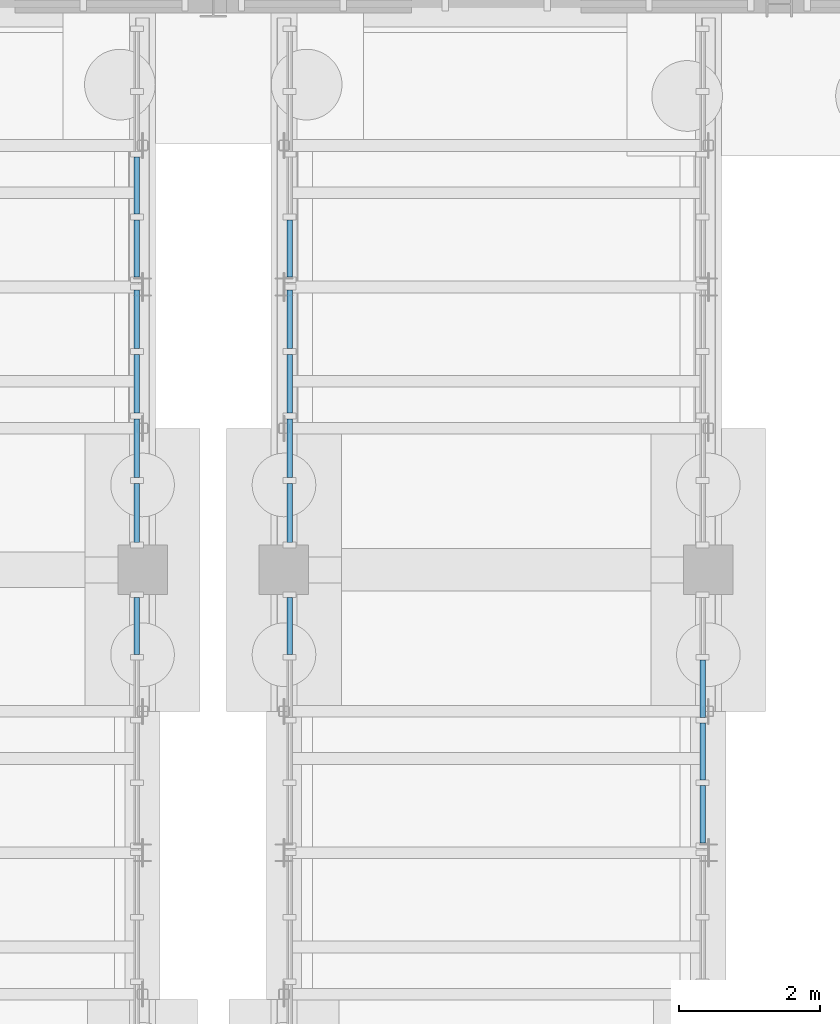
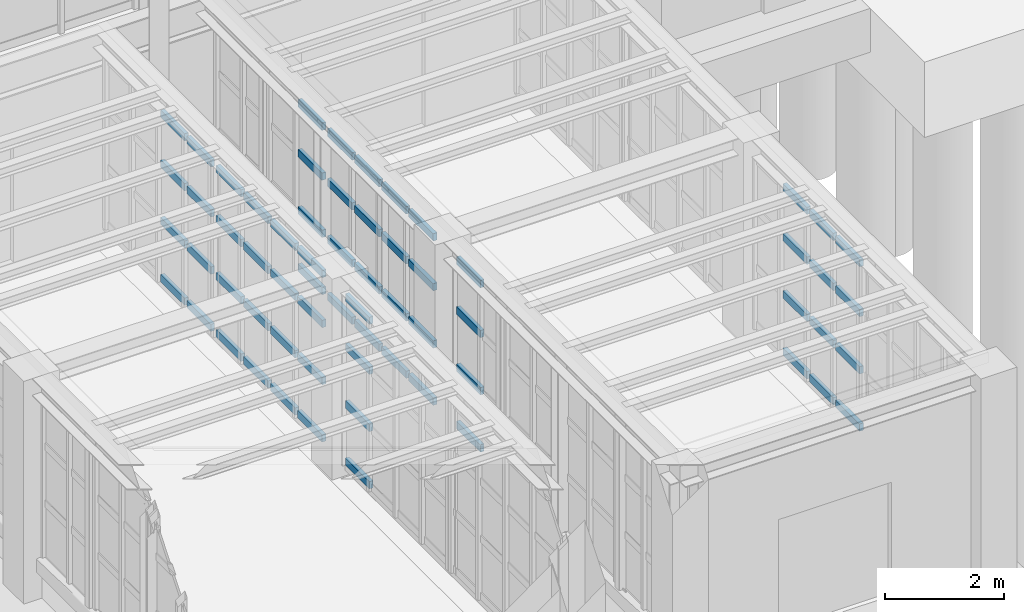
# One storey, part 75 of 129: 64 members, 7 elements without a shape of their own.
"""IFC4 building model written with IfcOpenShell, lengths in metres."""

from ifc_helpers import new_model, si_unit, direction, frame, origin, origin_2d, place, context, subcontext, project, spatial, rectangle, extrude, material, layer, layer_set, material_profile, profile_set, type_object, element, aggregate, save


model = new_model("IFC4")

# Units and contexts
model_context = context("Model", 3, precision=1e-05, world=origin(), true_north=direction((0.0, 1.0)))
body_context = subcontext(model_context, "Body", "Model", "MODEL_VIEW")
ifc_project = project(units=[si_unit("LENGTHUNIT", "METRE"), si_unit("AREAUNIT", "SQUARE_METRE"), si_unit("VOLUMEUNIT", "CUBIC_METRE"), si_unit("PLANEANGLEUNIT", "RADIAN"), si_unit("MASSUNIT", "GRAM", prefix="KILO")], contexts=[model_context])

# Site, building, storey
site_placement = place(None, origin())
site = spatial("IfcSite", under=ifc_project, at=site_placement, CompositionType="ELEMENT")
building_placement = place(site_placement, origin())
building = spatial("IfcBuilding", under=site, at=building_placement, Name="Sitalva Quay Ferry Terminal", CompositionType="ELEMENT")
storey_placement = place(building_placement, origin())
storey = spatial("IfcBuildingStorey", under=building, at=storey_placement, Name="L01", CompositionType="ELEMENT", Elevation=0.0)

# Curtain wall, members
ifc_material_1 = material(Name="Anodised Aluminium & Low-E Glazing", Category="aluminium")
ifc_layer = layer(ifc_material_1, 0.159912109375)
ifc_layer_set = layer_set([ifc_layer], Name="Anodised Aluminium & Low-E Glazing")
curtain_wall_type = type_object("IfcCurtainWallType", Name="CW_Bridge_Glazed", PredefinedType="USERDEFINED", material=ifc_layer_set)
curtain_wall_1_placement = place(storey_placement, origin())
curtain_wall_1 = element("IfcCurtainWall", 1, at=curtain_wall_1_placement, inside=storey, type_object=curtain_wall_type, Name="Boarding bridge BB2 E2 side glazing (CW-L01-046)", ObjectType="CURTAIN_WALL", PredefinedType="USERDEFINED")
ifc_material_2 = material(Name="Anodised Aluminium 6063-T6", Category="aluminium")
ifc_material_profile = material_profile(ifc_material_2, rectangle(XDim=0.074951171875, YDim=0.14990234375, at=origin_2d()), Name="ALU75x150")
ifc_profile_set = profile_set([ifc_material_profile], Name="Anodised Aluminium 6063-T6")
member_type = type_object("IfcMemberType", Name="Transom_Alu_75x140", PredefinedType="MULLION", material=ifc_profile_set)
member_1_placement = place(storey_placement, frame((56.919921875, -3.197509765625, 0.324951171875), z_axis=(0.0, 1.0, 0.0), x_axis=(-1.0, 0.0, 0.0)))
member_1 = element("IfcMember", 2, at=member_1_placement, type_object=member_type, Name="CW-L01-046-T3-0", ObjectType="TRANSOM", PredefinedType="USERDEFINED", context=body_context, shape_type="SweptSolid", body=[
    extrude(rectangle(XDim=0.074951171875, YDim=0.14990234375, at=origin_2d()), origin(), (0.0, 0.0, 1.0), 0.8076171875),
])
member_2_placement = place(storey_placement, frame((56.919921875, -3.197509765625, 1.501708984375), z_axis=(0.0, 1.0, 0.0), x_axis=(-1.0, 0.0, 0.0)))
member_2 = element("IfcMember", 3, at=member_2_placement, type_object=member_type, Name="CW-L01-046-T3-1", ObjectType="TRANSOM", PredefinedType="USERDEFINED", context=body_context, shape_type="SweptSolid", body=[
    extrude(rectangle(XDim=0.074951171875, YDim=0.14990234375, at=origin_2d()), origin(), (0.0, 0.0, 1.0), 0.8076171875),
])
member_3_placement = place(storey_placement, frame((56.919921875, -3.197509765625, 2.67822265625), z_axis=(0.0, 1.0, 0.0), x_axis=(-1.0, 0.0, 0.0)))
member_3 = element("IfcMember", 4, at=member_3_placement, type_object=member_type, Name="CW-L01-046-T3-2", ObjectType="TRANSOM", PredefinedType="USERDEFINED", context=body_context, shape_type="SweptSolid", body=[
    extrude(rectangle(XDim=0.074951171875, YDim=0.14990234375, at=origin_2d()), origin(), (0.0, 0.0, 1.0), 0.8076171875),
])
member_4_placement = place(storey_placement, frame((56.919921875, -3.197509765625, 3.705078125), z_axis=(0.0, 1.0, 0.0), x_axis=(-1.0, 0.0, 0.0)))
member_4 = element("IfcMember", 5, at=member_4_placement, type_object=member_type, Name="CW-L01-046-T3-3", ObjectType="TRANSOM", PredefinedType="USERDEFINED", context=body_context, shape_type="SweptSolid", body=[
    extrude(rectangle(XDim=0.074951171875, YDim=0.14990234375, at=origin_2d()), origin(), (0.0, 0.0, 1.0), 0.8076171875),
])
aggregate(curtain_wall_1, [member_1, member_2, member_3, member_4])

curtain_wall_2_placement = place(storey_placement, origin())
curtain_wall_2 = element("IfcCurtainWall", 6, at=curtain_wall_2_placement, inside=storey, type_object=curtain_wall_type, Name="Boarding bridge BB2 E3 side glazing (CW-L01-047)", ObjectType="CURTAIN_WALL", PredefinedType="USERDEFINED")
member_5_placement = place(storey_placement, frame((56.919921875, -1.610107421875, 0.324951171875), z_axis=(0.0, 1.0, 0.0), x_axis=(-1.0, 0.0, 0.0)))
member_5 = element("IfcMember", 7, at=member_5_placement, type_object=member_type, Name="CW-L01-047-T0-0", ObjectType="TRANSOM", PredefinedType="USERDEFINED", context=body_context, shape_type="SweptSolid", body=[
    extrude(rectangle(XDim=0.074951171875, YDim=0.14990234375, at=origin_2d()), origin(), (0.0, 0.0, 1.0), 0.83251953125),
])
member_6_placement = place(storey_placement, frame((56.919921875, -1.610107421875, 1.501708984375), z_axis=(0.0, 1.0, 0.0), x_axis=(-1.0, 0.0, 0.0)))
member_6 = element("IfcMember", 8, at=member_6_placement, type_object=member_type, Name="CW-L01-047-T0-1", ObjectType="TRANSOM", PredefinedType="USERDEFINED", context=body_context, shape_type="SweptSolid", body=[
    extrude(rectangle(XDim=0.074951171875, YDim=0.14990234375, at=origin_2d()), origin(), (0.0, 0.0, 1.0), 0.83251953125),
])
member_7_placement = place(storey_placement, frame((56.919921875, -1.610107421875, 2.67822265625), z_axis=(0.0, 1.0, 0.0), x_axis=(-1.0, 0.0, 0.0)))
member_7 = element("IfcMember", 9, at=member_7_placement, type_object=member_type, Name="CW-L01-047-T0-2", ObjectType="TRANSOM", PredefinedType="USERDEFINED", context=body_context, shape_type="SweptSolid", body=[
    extrude(rectangle(XDim=0.074951171875, YDim=0.14990234375, at=origin_2d()), origin(), (0.0, 0.0, 1.0), 0.83251953125),
])
member_8_placement = place(storey_placement, frame((56.919921875, -1.610107421875, 3.705078125), z_axis=(0.0, 1.0, 0.0), x_axis=(-1.0, 0.0, 0.0)))
member_8 = element("IfcMember", 10, at=member_8_placement, type_object=member_type, Name="CW-L01-047-T0-3", ObjectType="TRANSOM", PredefinedType="USERDEFINED", context=body_context, shape_type="SweptSolid", body=[
    extrude(rectangle(XDim=0.074951171875, YDim=0.14990234375, at=origin_2d()), origin(), (0.0, 0.0, 1.0), 0.83251953125),
])
member_9_placement = place(storey_placement, frame((56.919921875, -0.697509765625, 0.324951171875), z_axis=(0.0, 1.0, 0.0), x_axis=(-1.0, 0.0, 0.0)))
member_9 = element("IfcMember", 11, at=member_9_placement, type_object=member_type, Name="CW-L01-047-T1-0", ObjectType="TRANSOM", PredefinedType="USERDEFINED", context=body_context, shape_type="SweptSolid", body=[
    extrude(rectangle(XDim=0.074951171875, YDim=0.14990234375, at=origin_2d()), origin(), (0.0, 0.0, 1.0), 0.83251953125),
])
member_10_placement = place(storey_placement, frame((56.919921875, -0.697509765625, 1.501708984375), z_axis=(0.0, 1.0, 0.0), x_axis=(-1.0, 0.0, 0.0)))
member_10 = element("IfcMember", 12, at=member_10_placement, type_object=member_type, Name="CW-L01-047-T1-1", ObjectType="TRANSOM", PredefinedType="USERDEFINED", context=body_context, shape_type="SweptSolid", body=[
    extrude(rectangle(XDim=0.074951171875, YDim=0.14990234375, at=origin_2d()), origin(), (0.0, 0.0, 1.0), 0.83251953125),
])
member_11_placement = place(storey_placement, frame((56.919921875, -0.697509765625, 2.67822265625), z_axis=(0.0, 1.0, 0.0), x_axis=(-1.0, 0.0, 0.0)))
member_11 = element("IfcMember", 13, at=member_11_placement, type_object=member_type, Name="CW-L01-047-T1-2", ObjectType="TRANSOM", PredefinedType="USERDEFINED", context=body_context, shape_type="SweptSolid", body=[
    extrude(rectangle(XDim=0.074951171875, YDim=0.14990234375, at=origin_2d()), origin(), (0.0, 0.0, 1.0), 0.83251953125),
])
member_12_placement = place(storey_placement, frame((56.919921875, -0.697509765625, 3.705078125), z_axis=(0.0, 1.0, 0.0), x_axis=(-1.0, 0.0, 0.0)))
member_12 = element("IfcMember", 14, at=member_12_placement, type_object=member_type, Name="CW-L01-047-T1-3", ObjectType="TRANSOM", PredefinedType="USERDEFINED", context=body_context, shape_type="SweptSolid", body=[
    extrude(rectangle(XDim=0.074951171875, YDim=0.14990234375, at=origin_2d()), origin(), (0.0, 0.0, 1.0), 0.83251953125),
])
member_13_placement = place(storey_placement, frame((56.919921875, 0.215087890625, 0.324951171875), z_axis=(0.0, 1.0, 0.0), x_axis=(-1.0, 0.0, 0.0)))
member_13 = element("IfcMember", 15, at=member_13_placement, type_object=member_type, Name="CW-L01-047-T2-0", ObjectType="TRANSOM", PredefinedType="USERDEFINED", context=body_context, shape_type="SweptSolid", body=[
    extrude(rectangle(XDim=0.074951171875, YDim=0.14990234375, at=origin_2d()), origin(), (0.0, 0.0, 1.0), 0.83251953125),
])
member_14_placement = place(storey_placement, frame((56.919921875, 0.215087890625, 1.501708984375), z_axis=(0.0, 1.0, 0.0), x_axis=(-1.0, 0.0, 0.0)))
member_14 = element("IfcMember", 16, at=member_14_placement, type_object=member_type, Name="CW-L01-047-T2-1", ObjectType="TRANSOM", PredefinedType="USERDEFINED", context=body_context, shape_type="SweptSolid", body=[
    extrude(rectangle(XDim=0.074951171875, YDim=0.14990234375, at=origin_2d()), origin(), (0.0, 0.0, 1.0), 0.83251953125),
])
member_15_placement = place(storey_placement, frame((56.919921875, 0.215087890625, 2.67822265625), z_axis=(0.0, 1.0, 0.0), x_axis=(-1.0, 0.0, 0.0)))
member_15 = element("IfcMember", 17, at=member_15_placement, type_object=member_type, Name="CW-L01-047-T2-2", ObjectType="TRANSOM", PredefinedType="USERDEFINED", context=body_context, shape_type="SweptSolid", body=[
    extrude(rectangle(XDim=0.074951171875, YDim=0.14990234375, at=origin_2d()), origin(), (0.0, 0.0, 1.0), 0.83251953125),
])
member_16_placement = place(storey_placement, frame((56.919921875, 0.215087890625, 3.705078125), z_axis=(0.0, 1.0, 0.0), x_axis=(-1.0, 0.0, 0.0)))
member_16 = element("IfcMember", 18, at=member_16_placement, type_object=member_type, Name="CW-L01-047-T2-3", ObjectType="TRANSOM", PredefinedType="USERDEFINED", context=body_context, shape_type="SweptSolid", body=[
    extrude(rectangle(XDim=0.074951171875, YDim=0.14990234375, at=origin_2d()), origin(), (0.0, 0.0, 1.0), 0.83251953125),
])
member_17_placement = place(storey_placement, frame((56.919921875, 1.12744140625, 0.324951171875), z_axis=(0.0, 1.0, 0.0), x_axis=(-1.0, 0.0, 0.0)))
member_17 = element("IfcMember", 19, at=member_17_placement, type_object=member_type, Name="CW-L01-047-T3-0", ObjectType="TRANSOM", PredefinedType="USERDEFINED", context=body_context, shape_type="SweptSolid", body=[
    extrude(rectangle(XDim=0.074951171875, YDim=0.14990234375, at=origin_2d()), origin(), (0.0, 0.0, 1.0), 0.83251953125),
])
member_18_placement = place(storey_placement, frame((56.919921875, 1.12744140625, 1.501708984375), z_axis=(0.0, 1.0, 0.0), x_axis=(-1.0, 0.0, 0.0)))
member_18 = element("IfcMember", 20, at=member_18_placement, type_object=member_type, Name="CW-L01-047-T3-1", ObjectType="TRANSOM", PredefinedType="USERDEFINED", context=body_context, shape_type="SweptSolid", body=[
    extrude(rectangle(XDim=0.074951171875, YDim=0.14990234375, at=origin_2d()), origin(), (0.0, 0.0, 1.0), 0.83251953125),
])
member_19_placement = place(storey_placement, frame((56.919921875, 1.12744140625, 2.67822265625), z_axis=(0.0, 1.0, 0.0), x_axis=(-1.0, 0.0, 0.0)))
member_19 = element("IfcMember", 21, at=member_19_placement, type_object=member_type, Name="CW-L01-047-T3-2", ObjectType="TRANSOM", PredefinedType="USERDEFINED", context=body_context, shape_type="SweptSolid", body=[
    extrude(rectangle(XDim=0.074951171875, YDim=0.14990234375, at=origin_2d()), origin(), (0.0, 0.0, 1.0), 0.83251953125),
])
member_20_placement = place(storey_placement, frame((56.919921875, 1.12744140625, 3.705078125), z_axis=(0.0, 1.0, 0.0), x_axis=(-1.0, 0.0, 0.0)))
member_20 = element("IfcMember", 22, at=member_20_placement, type_object=member_type, Name="CW-L01-047-T3-3", ObjectType="TRANSOM", PredefinedType="USERDEFINED", context=body_context, shape_type="SweptSolid", body=[
    extrude(rectangle(XDim=0.074951171875, YDim=0.14990234375, at=origin_2d()), origin(), (0.0, 0.0, 1.0), 0.83251953125),
])
aggregate(curtain_wall_2, [member_5, member_6, member_7, member_8, member_9, member_10, member_11, member_12, member_13, member_14, member_15, member_16, member_17, member_18, member_19, member_20])

curtain_wall_3_placement = place(storey_placement, origin())
curtain_wall_3 = element("IfcCurtainWall", 23, at=curtain_wall_3_placement, inside=storey, type_object=curtain_wall_type, Name="Boarding bridge BB2 E4 side glazing (CW-L01-048)", ObjectType="CURTAIN_WALL", PredefinedType="USERDEFINED")
member_21_placement = place(storey_placement, frame((56.919921875, 2.139892578125, 0.324951171875), z_axis=(0.0, 1.0, 0.0), x_axis=(-1.0, 0.0, 0.0)))
member_21 = element("IfcMember", 24, at=member_21_placement, type_object=member_type, Name="CW-L01-048-T0-0", ObjectType="TRANSOM", PredefinedType="USERDEFINED", context=body_context, shape_type="SweptSolid", body=[
    extrude(rectangle(XDim=0.074951171875, YDim=0.14990234375, at=origin_2d()), origin(), (0.0, 0.0, 1.0), 0.8076171875),
])
member_22_placement = place(storey_placement, frame((56.919921875, 2.139892578125, 1.501708984375), z_axis=(0.0, 1.0, 0.0), x_axis=(-1.0, 0.0, 0.0)))
member_22 = element("IfcMember", 25, at=member_22_placement, type_object=member_type, Name="CW-L01-048-T0-1", ObjectType="TRANSOM", PredefinedType="USERDEFINED", context=body_context, shape_type="SweptSolid", body=[
    extrude(rectangle(XDim=0.074951171875, YDim=0.14990234375, at=origin_2d()), origin(), (0.0, 0.0, 1.0), 0.8076171875),
])
member_23_placement = place(storey_placement, frame((56.919921875, 2.139892578125, 2.67822265625), z_axis=(0.0, 1.0, 0.0), x_axis=(-1.0, 0.0, 0.0)))
member_23 = element("IfcMember", 26, at=member_23_placement, type_object=member_type, Name="CW-L01-048-T0-2", ObjectType="TRANSOM", PredefinedType="USERDEFINED", context=body_context, shape_type="SweptSolid", body=[
    extrude(rectangle(XDim=0.074951171875, YDim=0.14990234375, at=origin_2d()), origin(), (0.0, 0.0, 1.0), 0.8076171875),
])
member_24_placement = place(storey_placement, frame((56.919921875, 2.139892578125, 3.705078125), z_axis=(0.0, 1.0, 0.0), x_axis=(-1.0, 0.0, 0.0)))
member_24 = element("IfcMember", 27, at=member_24_placement, type_object=member_type, Name="CW-L01-048-T0-3", ObjectType="TRANSOM", PredefinedType="USERDEFINED", context=body_context, shape_type="SweptSolid", body=[
    extrude(rectangle(XDim=0.074951171875, YDim=0.14990234375, at=origin_2d()), origin(), (0.0, 0.0, 1.0), 0.8076171875),
])
member_25_placement = place(storey_placement, frame((56.919921875, 3.027587890625, 0.324951171875), z_axis=(0.0, 1.0, 0.0), x_axis=(-1.0, 0.0, 0.0)))
member_25 = element("IfcMember", 28, at=member_25_placement, type_object=member_type, Name="CW-L01-048-T1-0", ObjectType="TRANSOM", PredefinedType="USERDEFINED", context=body_context, shape_type="SweptSolid", body=[
    extrude(rectangle(XDim=0.074951171875, YDim=0.14990234375, at=origin_2d()), origin(), (0.0, 0.0, 1.0), 0.807373046875),
])
member_26_placement = place(storey_placement, frame((56.919921875, 3.027587890625, 1.501708984375), z_axis=(0.0, 1.0, 0.0), x_axis=(-1.0, 0.0, 0.0)))
member_26 = element("IfcMember", 29, at=member_26_placement, type_object=member_type, Name="CW-L01-048-T1-1", ObjectType="TRANSOM", PredefinedType="USERDEFINED", context=body_context, shape_type="SweptSolid", body=[
    extrude(rectangle(XDim=0.074951171875, YDim=0.14990234375, at=origin_2d()), origin(), (0.0, 0.0, 1.0), 0.807373046875),
])
member_27_placement = place(storey_placement, frame((56.919921875, 3.027587890625, 2.67822265625), z_axis=(0.0, 1.0, 0.0), x_axis=(-1.0, 0.0, 0.0)))
member_27 = element("IfcMember", 30, at=member_27_placement, type_object=member_type, Name="CW-L01-048-T1-2", ObjectType="TRANSOM", PredefinedType="USERDEFINED", context=body_context, shape_type="SweptSolid", body=[
    extrude(rectangle(XDim=0.074951171875, YDim=0.14990234375, at=origin_2d()), origin(), (0.0, 0.0, 1.0), 0.807373046875),
])
member_28_placement = place(storey_placement, frame((56.919921875, 3.027587890625, 3.705078125), z_axis=(0.0, 1.0, 0.0), x_axis=(-1.0, 0.0, 0.0)))
member_28 = element("IfcMember", 31, at=member_28_placement, type_object=member_type, Name="CW-L01-048-T1-3", ObjectType="TRANSOM", PredefinedType="USERDEFINED", context=body_context, shape_type="SweptSolid", body=[
    extrude(rectangle(XDim=0.074951171875, YDim=0.14990234375, at=origin_2d()), origin(), (0.0, 0.0, 1.0), 0.807373046875),
])
aggregate(curtain_wall_3, [member_21, member_22, member_23, member_24, member_25, member_26, member_27, member_28])

curtain_wall_4_placement = place(storey_placement, origin())
curtain_wall_4 = element("IfcCurtainWall", 32, at=curtain_wall_4_placement, inside=storey, type_object=curtain_wall_type, Name="Boarding bridge BB3 W2 side glazing (CW-L01-050)", ObjectType="CURTAIN_WALL", PredefinedType="USERDEFINED")
member_29_placement = place(storey_placement, frame((59.080078125, -3.197509765625, 0.324951171875), z_axis=(0.0, 1.0, 0.0), x_axis=(-1.0, 0.0, 0.0)))
member_29 = element("IfcMember", 33, at=member_29_placement, type_object=member_type, Name="CW-L01-050-T3-0", ObjectType="TRANSOM", PredefinedType="USERDEFINED", context=body_context, shape_type="SweptSolid", body=[
    extrude(rectangle(XDim=0.074951171875, YDim=0.14990234375, at=origin_2d()), origin(), (0.0, 0.0, 1.0), 0.8076171875),
])
member_30_placement = place(storey_placement, frame((59.080078125, -3.197509765625, 1.501708984375), z_axis=(0.0, 1.0, 0.0), x_axis=(-1.0, 0.0, 0.0)))
member_30 = element("IfcMember", 34, at=member_30_placement, type_object=member_type, Name="CW-L01-050-T3-1", ObjectType="TRANSOM", PredefinedType="USERDEFINED", context=body_context, shape_type="SweptSolid", body=[
    extrude(rectangle(XDim=0.074951171875, YDim=0.14990234375, at=origin_2d()), origin(), (0.0, 0.0, 1.0), 0.8076171875),
])
member_31_placement = place(storey_placement, frame((59.080078125, -3.197509765625, 2.67822265625), z_axis=(0.0, 1.0, 0.0), x_axis=(-1.0, 0.0, 0.0)))
member_31 = element("IfcMember", 35, at=member_31_placement, type_object=member_type, Name="CW-L01-050-T3-2", ObjectType="TRANSOM", PredefinedType="USERDEFINED", context=body_context, shape_type="SweptSolid", body=[
    extrude(rectangle(XDim=0.074951171875, YDim=0.14990234375, at=origin_2d()), origin(), (0.0, 0.0, 1.0), 0.8076171875),
])
member_32_placement = place(storey_placement, frame((59.080078125, -3.197509765625, 3.705078125), z_axis=(0.0, 1.0, 0.0), x_axis=(-1.0, 0.0, 0.0)))
member_32 = element("IfcMember", 36, at=member_32_placement, type_object=member_type, Name="CW-L01-050-T3-3", ObjectType="TRANSOM", PredefinedType="USERDEFINED", context=body_context, shape_type="SweptSolid", body=[
    extrude(rectangle(XDim=0.074951171875, YDim=0.14990234375, at=origin_2d()), origin(), (0.0, 0.0, 1.0), 0.8076171875),
])
aggregate(curtain_wall_4, [member_29, member_30, member_31, member_32])

curtain_wall_5_placement = place(storey_placement, origin())
curtain_wall_5 = element("IfcCurtainWall", 37, at=curtain_wall_5_placement, inside=storey, type_object=curtain_wall_type, Name="Boarding bridge BB3 W3 side glazing (CW-L01-051)", ObjectType="CURTAIN_WALL", PredefinedType="USERDEFINED")
member_33_placement = place(storey_placement, frame((59.080078125, -1.610107421875, 0.324951171875), z_axis=(0.0, 1.0, 0.0), x_axis=(-1.0, 0.0, 0.0)))
member_33 = element("IfcMember", 38, at=member_33_placement, type_object=member_type, Name="CW-L01-051-T0-0", ObjectType="TRANSOM", PredefinedType="USERDEFINED", context=body_context, shape_type="SweptSolid", body=[
    extrude(rectangle(XDim=0.074951171875, YDim=0.14990234375, at=origin_2d()), origin(), (0.0, 0.0, 1.0), 0.83251953125),
])
member_34_placement = place(storey_placement, frame((59.080078125, -1.610107421875, 1.501708984375), z_axis=(0.0, 1.0, 0.0), x_axis=(-1.0, 0.0, 0.0)))
member_34 = element("IfcMember", 39, at=member_34_placement, type_object=member_type, Name="CW-L01-051-T0-1", ObjectType="TRANSOM", PredefinedType="USERDEFINED", context=body_context, shape_type="SweptSolid", body=[
    extrude(rectangle(XDim=0.074951171875, YDim=0.14990234375, at=origin_2d()), origin(), (0.0, 0.0, 1.0), 0.83251953125),
])
member_35_placement = place(storey_placement, frame((59.080078125, -1.610107421875, 2.67822265625), z_axis=(0.0, 1.0, 0.0), x_axis=(-1.0, 0.0, 0.0)))
member_35 = element("IfcMember", 40, at=member_35_placement, type_object=member_type, Name="CW-L01-051-T0-2", ObjectType="TRANSOM", PredefinedType="USERDEFINED", context=body_context, shape_type="SweptSolid", body=[
    extrude(rectangle(XDim=0.074951171875, YDim=0.14990234375, at=origin_2d()), origin(), (0.0, 0.0, 1.0), 0.83251953125),
])
member_36_placement = place(storey_placement, frame((59.080078125, -1.610107421875, 3.705078125), z_axis=(0.0, 1.0, 0.0), x_axis=(-1.0, 0.0, 0.0)))
member_36 = element("IfcMember", 41, at=member_36_placement, type_object=member_type, Name="CW-L01-051-T0-3", ObjectType="TRANSOM", PredefinedType="USERDEFINED", context=body_context, shape_type="SweptSolid", body=[
    extrude(rectangle(XDim=0.074951171875, YDim=0.14990234375, at=origin_2d()), origin(), (0.0, 0.0, 1.0), 0.83251953125),
])
member_37_placement = place(storey_placement, frame((59.080078125, -0.697509765625, 0.324951171875), z_axis=(0.0, 1.0, 0.0), x_axis=(-1.0, 0.0, 0.0)))
member_37 = element("IfcMember", 42, at=member_37_placement, type_object=member_type, Name="CW-L01-051-T1-0", ObjectType="TRANSOM", PredefinedType="USERDEFINED", context=body_context, shape_type="SweptSolid", body=[
    extrude(rectangle(XDim=0.074951171875, YDim=0.14990234375, at=origin_2d()), origin(), (0.0, 0.0, 1.0), 0.83251953125),
])
member_38_placement = place(storey_placement, frame((59.080078125, -0.697509765625, 1.501708984375), z_axis=(0.0, 1.0, 0.0), x_axis=(-1.0, 0.0, 0.0)))
member_38 = element("IfcMember", 43, at=member_38_placement, type_object=member_type, Name="CW-L01-051-T1-1", ObjectType="TRANSOM", PredefinedType="USERDEFINED", context=body_context, shape_type="SweptSolid", body=[
    extrude(rectangle(XDim=0.074951171875, YDim=0.14990234375, at=origin_2d()), origin(), (0.0, 0.0, 1.0), 0.83251953125),
])
member_39_placement = place(storey_placement, frame((59.080078125, -0.697509765625, 2.67822265625), z_axis=(0.0, 1.0, 0.0), x_axis=(-1.0, 0.0, 0.0)))
member_39 = element("IfcMember", 44, at=member_39_placement, type_object=member_type, Name="CW-L01-051-T1-2", ObjectType="TRANSOM", PredefinedType="USERDEFINED", context=body_context, shape_type="SweptSolid", body=[
    extrude(rectangle(XDim=0.074951171875, YDim=0.14990234375, at=origin_2d()), origin(), (0.0, 0.0, 1.0), 0.83251953125),
])
member_40_placement = place(storey_placement, frame((59.080078125, -0.697509765625, 3.705078125), z_axis=(0.0, 1.0, 0.0), x_axis=(-1.0, 0.0, 0.0)))
member_40 = element("IfcMember", 45, at=member_40_placement, type_object=member_type, Name="CW-L01-051-T1-3", ObjectType="TRANSOM", PredefinedType="USERDEFINED", context=body_context, shape_type="SweptSolid", body=[
    extrude(rectangle(XDim=0.074951171875, YDim=0.14990234375, at=origin_2d()), origin(), (0.0, 0.0, 1.0), 0.83251953125),
])
member_41_placement = place(storey_placement, frame((59.080078125, 0.215087890625, 0.324951171875), z_axis=(0.0, 1.0, 0.0), x_axis=(-1.0, 0.0, 0.0)))
member_41 = element("IfcMember", 46, at=member_41_placement, type_object=member_type, Name="CW-L01-051-T2-0", ObjectType="TRANSOM", PredefinedType="USERDEFINED", context=body_context, shape_type="SweptSolid", body=[
    extrude(rectangle(XDim=0.074951171875, YDim=0.14990234375, at=origin_2d()), origin(), (0.0, 0.0, 1.0), 0.83251953125),
])
member_42_placement = place(storey_placement, frame((59.080078125, 0.215087890625, 1.501708984375), z_axis=(0.0, 1.0, 0.0), x_axis=(-1.0, 0.0, 0.0)))
member_42 = element("IfcMember", 47, at=member_42_placement, type_object=member_type, Name="CW-L01-051-T2-1", ObjectType="TRANSOM", PredefinedType="USERDEFINED", context=body_context, shape_type="SweptSolid", body=[
    extrude(rectangle(XDim=0.074951171875, YDim=0.14990234375, at=origin_2d()), origin(), (0.0, 0.0, 1.0), 0.83251953125),
])
member_43_placement = place(storey_placement, frame((59.080078125, 0.215087890625, 2.67822265625), z_axis=(0.0, 1.0, 0.0), x_axis=(-1.0, 0.0, 0.0)))
member_43 = element("IfcMember", 48, at=member_43_placement, type_object=member_type, Name="CW-L01-051-T2-2", ObjectType="TRANSOM", PredefinedType="USERDEFINED", context=body_context, shape_type="SweptSolid", body=[
    extrude(rectangle(XDim=0.074951171875, YDim=0.14990234375, at=origin_2d()), origin(), (0.0, 0.0, 1.0), 0.83251953125),
])
member_44_placement = place(storey_placement, frame((59.080078125, 0.215087890625, 3.705078125), z_axis=(0.0, 1.0, 0.0), x_axis=(-1.0, 0.0, 0.0)))
member_44 = element("IfcMember", 49, at=member_44_placement, type_object=member_type, Name="CW-L01-051-T2-3", ObjectType="TRANSOM", PredefinedType="USERDEFINED", context=body_context, shape_type="SweptSolid", body=[
    extrude(rectangle(XDim=0.074951171875, YDim=0.14990234375, at=origin_2d()), origin(), (0.0, 0.0, 1.0), 0.83251953125),
])
member_45_placement = place(storey_placement, frame((59.080078125, 1.12744140625, 0.324951171875), z_axis=(0.0, 1.0, 0.0), x_axis=(-1.0, 0.0, 0.0)))
member_45 = element("IfcMember", 50, at=member_45_placement, type_object=member_type, Name="CW-L01-051-T3-0", ObjectType="TRANSOM", PredefinedType="USERDEFINED", context=body_context, shape_type="SweptSolid", body=[
    extrude(rectangle(XDim=0.074951171875, YDim=0.14990234375, at=origin_2d()), origin(), (0.0, 0.0, 1.0), 0.83251953125),
])
member_46_placement = place(storey_placement, frame((59.080078125, 1.12744140625, 1.501708984375), z_axis=(0.0, 1.0, 0.0), x_axis=(-1.0, 0.0, 0.0)))
member_46 = element("IfcMember", 51, at=member_46_placement, type_object=member_type, Name="CW-L01-051-T3-1", ObjectType="TRANSOM", PredefinedType="USERDEFINED", context=body_context, shape_type="SweptSolid", body=[
    extrude(rectangle(XDim=0.074951171875, YDim=0.14990234375, at=origin_2d()), origin(), (0.0, 0.0, 1.0), 0.83251953125),
])
member_47_placement = place(storey_placement, frame((59.080078125, 1.12744140625, 2.67822265625), z_axis=(0.0, 1.0, 0.0), x_axis=(-1.0, 0.0, 0.0)))
member_47 = element("IfcMember", 52, at=member_47_placement, type_object=member_type, Name="CW-L01-051-T3-2", ObjectType="TRANSOM", PredefinedType="USERDEFINED", context=body_context, shape_type="SweptSolid", body=[
    extrude(rectangle(XDim=0.074951171875, YDim=0.14990234375, at=origin_2d()), origin(), (0.0, 0.0, 1.0), 0.83251953125),
])
member_48_placement = place(storey_placement, frame((59.080078125, 1.12744140625, 3.705078125), z_axis=(0.0, 1.0, 0.0), x_axis=(-1.0, 0.0, 0.0)))
member_48 = element("IfcMember", 53, at=member_48_placement, type_object=member_type, Name="CW-L01-051-T3-3", ObjectType="TRANSOM", PredefinedType="USERDEFINED", context=body_context, shape_type="SweptSolid", body=[
    extrude(rectangle(XDim=0.074951171875, YDim=0.14990234375, at=origin_2d()), origin(), (0.0, 0.0, 1.0), 0.83251953125),
])
aggregate(curtain_wall_5, [member_33, member_34, member_35, member_36, member_37, member_38, member_39, member_40, member_41, member_42, member_43, member_44, member_45, member_46, member_47, member_48])

curtain_wall_6_placement = place(storey_placement, origin())
curtain_wall_6 = element("IfcCurtainWall", 54, at=curtain_wall_6_placement, inside=storey, type_object=curtain_wall_type, Name="Boarding bridge BB3 W4 side glazing (CW-L01-052)", ObjectType="CURTAIN_WALL", PredefinedType="USERDEFINED")
member_49_placement = place(storey_placement, frame((59.080078125, 2.139892578125, 0.324951171875), z_axis=(0.0, 1.0, 0.0), x_axis=(-1.0, 0.0, 0.0)))
member_49 = element("IfcMember", 55, at=member_49_placement, type_object=member_type, Name="CW-L01-052-T0-0", ObjectType="TRANSOM", PredefinedType="USERDEFINED", context=body_context, shape_type="SweptSolid", body=[
    extrude(rectangle(XDim=0.074951171875, YDim=0.14990234375, at=origin_2d()), origin(), (0.0, 0.0, 1.0), 0.8076171875),
])
member_50_placement = place(storey_placement, frame((59.080078125, 2.139892578125, 1.501708984375), z_axis=(0.0, 1.0, 0.0), x_axis=(-1.0, 0.0, 0.0)))
member_50 = element("IfcMember", 56, at=member_50_placement, type_object=member_type, Name="CW-L01-052-T0-1", ObjectType="TRANSOM", PredefinedType="USERDEFINED", context=body_context, shape_type="SweptSolid", body=[
    extrude(rectangle(XDim=0.074951171875, YDim=0.14990234375, at=origin_2d()), origin(), (0.0, 0.0, 1.0), 0.8076171875),
])
member_51_placement = place(storey_placement, frame((59.080078125, 2.139892578125, 2.67822265625), z_axis=(0.0, 1.0, 0.0), x_axis=(-1.0, 0.0, 0.0)))
member_51 = element("IfcMember", 57, at=member_51_placement, type_object=member_type, Name="CW-L01-052-T0-2", ObjectType="TRANSOM", PredefinedType="USERDEFINED", context=body_context, shape_type="SweptSolid", body=[
    extrude(rectangle(XDim=0.074951171875, YDim=0.14990234375, at=origin_2d()), origin(), (0.0, 0.0, 1.0), 0.8076171875),
])
member_52_placement = place(storey_placement, frame((59.080078125, 2.139892578125, 3.705078125), z_axis=(0.0, 1.0, 0.0), x_axis=(-1.0, 0.0, 0.0)))
member_52 = element("IfcMember", 58, at=member_52_placement, type_object=member_type, Name="CW-L01-052-T0-3", ObjectType="TRANSOM", PredefinedType="USERDEFINED", context=body_context, shape_type="SweptSolid", body=[
    extrude(rectangle(XDim=0.074951171875, YDim=0.14990234375, at=origin_2d()), origin(), (0.0, 0.0, 1.0), 0.8076171875),
])
aggregate(curtain_wall_6, [member_49, member_50, member_51, member_52])

curtain_wall_7_placement = place(storey_placement, origin())
curtain_wall_7 = element("IfcCurtainWall", 59, at=curtain_wall_7_placement, inside=storey, type_object=curtain_wall_type, Name="Boarding bridge BB3 E2 side glazing (CW-L01-054)", ObjectType="CURTAIN_WALL", PredefinedType="USERDEFINED")
member_53_placement = place(storey_placement, frame((64.919921875, -5.860107421875, 0.324951171875), z_axis=(0.0, 1.0, 0.0), x_axis=(-1.0, 0.0, 0.0)))
member_53 = element("IfcMember", 60, at=member_53_placement, type_object=member_type, Name="CW-L01-054-T0-0", ObjectType="TRANSOM", PredefinedType="USERDEFINED", context=body_context, shape_type="SweptSolid", body=[
    extrude(rectangle(XDim=0.074951171875, YDim=0.14990234375, at=origin_2d()), origin(), (0.0, 0.0, 1.0), 0.8076171875),
])
member_54_placement = place(storey_placement, frame((64.919921875, -5.860107421875, 1.501708984375), z_axis=(0.0, 1.0, 0.0), x_axis=(-1.0, 0.0, 0.0)))
member_54 = element("IfcMember", 61, at=member_54_placement, type_object=member_type, Name="CW-L01-054-T0-1", ObjectType="TRANSOM", PredefinedType="USERDEFINED", context=body_context, shape_type="SweptSolid", body=[
    extrude(rectangle(XDim=0.074951171875, YDim=0.14990234375, at=origin_2d()), origin(), (0.0, 0.0, 1.0), 0.8076171875),
])
member_55_placement = place(storey_placement, frame((64.919921875, -5.860107421875, 2.67822265625), z_axis=(0.0, 1.0, 0.0), x_axis=(-1.0, 0.0, 0.0)))
member_55 = element("IfcMember", 62, at=member_55_placement, type_object=member_type, Name="CW-L01-054-T0-2", ObjectType="TRANSOM", PredefinedType="USERDEFINED", context=body_context, shape_type="SweptSolid", body=[
    extrude(rectangle(XDim=0.074951171875, YDim=0.14990234375, at=origin_2d()), origin(), (0.0, 0.0, 1.0), 0.8076171875),
])
member_56_placement = place(storey_placement, frame((64.919921875, -5.860107421875, 3.705078125), z_axis=(0.0, 1.0, 0.0), x_axis=(-1.0, 0.0, 0.0)))
member_56 = element("IfcMember", 63, at=member_56_placement, type_object=member_type, Name="CW-L01-054-T0-3", ObjectType="TRANSOM", PredefinedType="USERDEFINED", context=body_context, shape_type="SweptSolid", body=[
    extrude(rectangle(XDim=0.074951171875, YDim=0.14990234375, at=origin_2d()), origin(), (0.0, 0.0, 1.0), 0.8076171875),
])
member_57_placement = place(storey_placement, frame((64.919921875, -4.972412109375, 0.324951171875), z_axis=(0.0, 1.0, 0.0), x_axis=(-1.0, 0.0, 0.0)))
member_57 = element("IfcMember", 64, at=member_57_placement, type_object=member_type, Name="CW-L01-054-T1-0", ObjectType="TRANSOM", PredefinedType="USERDEFINED", context=body_context, shape_type="SweptSolid", body=[
    extrude(rectangle(XDim=0.074951171875, YDim=0.14990234375, at=origin_2d()), origin(), (0.0, 0.0, 1.0), 0.807373046875),
])
member_58_placement = place(storey_placement, frame((64.919921875, -4.972412109375, 1.501708984375), z_axis=(0.0, 1.0, 0.0), x_axis=(-1.0, 0.0, 0.0)))
member_58 = element("IfcMember", 65, at=member_58_placement, type_object=member_type, Name="CW-L01-054-T1-1", ObjectType="TRANSOM", PredefinedType="USERDEFINED", context=body_context, shape_type="SweptSolid", body=[
    extrude(rectangle(XDim=0.074951171875, YDim=0.14990234375, at=origin_2d()), origin(), (0.0, 0.0, 1.0), 0.807373046875),
])
member_59_placement = place(storey_placement, frame((64.919921875, -4.972412109375, 2.67822265625), z_axis=(0.0, 1.0, 0.0), x_axis=(-1.0, 0.0, 0.0)))
member_59 = element("IfcMember", 66, at=member_59_placement, type_object=member_type, Name="CW-L01-054-T1-2", ObjectType="TRANSOM", PredefinedType="USERDEFINED", context=body_context, shape_type="SweptSolid", body=[
    extrude(rectangle(XDim=0.074951171875, YDim=0.14990234375, at=origin_2d()), origin(), (0.0, 0.0, 1.0), 0.807373046875),
])
member_60_placement = place(storey_placement, frame((64.919921875, -4.972412109375, 3.705078125), z_axis=(0.0, 1.0, 0.0), x_axis=(-1.0, 0.0, 0.0)))
member_60 = element("IfcMember", 67, at=member_60_placement, type_object=member_type, Name="CW-L01-054-T1-3", ObjectType="TRANSOM", PredefinedType="USERDEFINED", context=body_context, shape_type="SweptSolid", body=[
    extrude(rectangle(XDim=0.074951171875, YDim=0.14990234375, at=origin_2d()), origin(), (0.0, 0.0, 1.0), 0.807373046875),
])
member_61_placement = place(storey_placement, frame((64.919921875, -4.0849609375, 0.324951171875), z_axis=(0.0, 1.0, 0.0), x_axis=(-1.0, 0.0, 0.0)))
member_61 = element("IfcMember", 68, at=member_61_placement, type_object=member_type, Name="CW-L01-054-T2-0", ObjectType="TRANSOM", PredefinedType="USERDEFINED", context=body_context, shape_type="SweptSolid", body=[
    extrude(rectangle(XDim=0.074951171875, YDim=0.14990234375, at=origin_2d()), origin(), (0.0, 0.0, 1.0), 0.807373046875),
])
member_62_placement = place(storey_placement, frame((64.919921875, -4.0849609375, 1.501708984375), z_axis=(0.0, 1.0, 0.0), x_axis=(-1.0, 0.0, 0.0)))
member_62 = element("IfcMember", 69, at=member_62_placement, type_object=member_type, Name="CW-L01-054-T2-1", ObjectType="TRANSOM", PredefinedType="USERDEFINED", context=body_context, shape_type="SweptSolid", body=[
    extrude(rectangle(XDim=0.074951171875, YDim=0.14990234375, at=origin_2d()), origin(), (0.0, 0.0, 1.0), 0.807373046875),
])
member_63_placement = place(storey_placement, frame((64.919921875, -4.0849609375, 2.67822265625), z_axis=(0.0, 1.0, 0.0), x_axis=(-1.0, 0.0, 0.0)))
member_63 = element("IfcMember", 70, at=member_63_placement, type_object=member_type, Name="CW-L01-054-T2-2", ObjectType="TRANSOM", PredefinedType="USERDEFINED", context=body_context, shape_type="SweptSolid", body=[
    extrude(rectangle(XDim=0.074951171875, YDim=0.14990234375, at=origin_2d()), origin(), (0.0, 0.0, 1.0), 0.807373046875),
])
member_64_placement = place(storey_placement, frame((64.919921875, -4.0849609375, 3.705078125), z_axis=(0.0, 1.0, 0.0), x_axis=(-1.0, 0.0, 0.0)))
member_64 = element("IfcMember", 71, at=member_64_placement, type_object=member_type, Name="CW-L01-054-T2-3", ObjectType="TRANSOM", PredefinedType="USERDEFINED", context=body_context, shape_type="SweptSolid", body=[
    extrude(rectangle(XDim=0.074951171875, YDim=0.14990234375, at=origin_2d()), origin(), (0.0, 0.0, 1.0), 0.807373046875),
])
aggregate(curtain_wall_7, [member_53, member_54, member_55, member_56, member_57, member_58, member_59, member_60, member_61, member_62, member_63, member_64])

save(model, "model.ifc")
